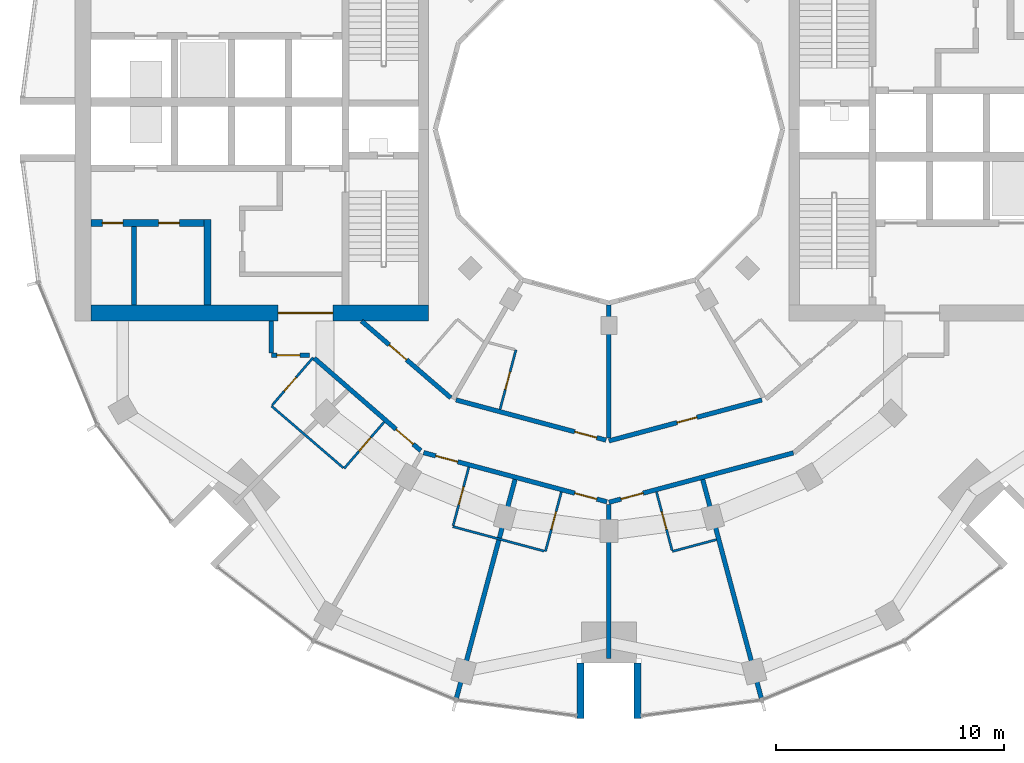
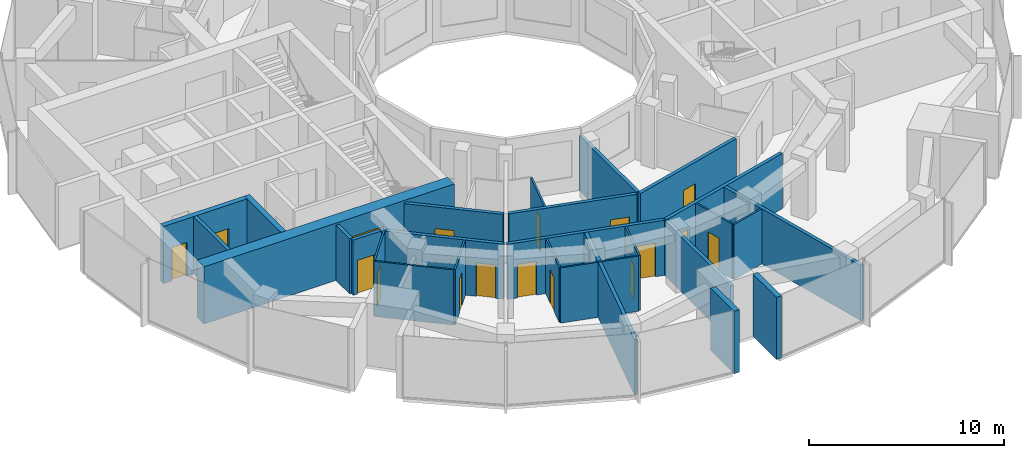
# One storey, part 8 of 15: 27 walls, 17 doors, 17 openings.
"""IFC4 building model written with IfcOpenShell, lengths in metres."""

from ifc_helpers import new_model, si_unit, direction, frame, frame_2d, origin, place, context, subcontext, project, spatial, rectangle, extrude, material, layer, layer_set, type_object, element, fill, save


model = new_model("IFC4")

# Units and contexts
model_context = context("Model", 3, precision=1e-05, world=origin(), true_north=direction((0.0, 1.0)))
body_context = subcontext(model_context, "Body", "Model", "MODEL_VIEW")
ifc_project = project(units=[si_unit("LENGTHUNIT", "METRE"), si_unit("AREAUNIT", "SQUARE_METRE"), si_unit("VOLUMEUNIT", "CUBIC_METRE"), si_unit("PLANEANGLEUNIT", "RADIAN"), si_unit("MASSUNIT", "GRAM", prefix="KILO")], contexts=[model_context])

# Site, building, storey
site_placement = place(None, origin())
site = spatial("IfcSite", under=ifc_project, at=site_placement, CompositionType="ELEMENT")
building_placement = place(site_placement, origin())
building = spatial("IfcBuilding", under=site, at=building_placement, Name="Torre Brocal", CompositionType="ELEMENT")
storey_placement = place(building_placement, frame((0.0, 0.0, 141.89990234375)))
storey = spatial("IfcBuildingStorey", under=building, at=storey_placement, Name="L33", CompositionType="ELEMENT", Elevation=141.89990234375)

# Walls
ifc_material_1 = material(Name="Masonry block", Category="masonry")
ifc_layer_1 = layer(ifc_material_1, 0.199951171875)
ifc_layer_set_1 = layer_set([ifc_layer_1], Name="Masonry block")
wall_type_1 = type_object("IfcWallType", Name="CORE PARTITION 200", PredefinedType="PARTITIONING", material=ifc_layer_set_1)
wall_1_placement = place(storey_placement, frame((59.180908203125, 70.75, 0.0), z_axis=(0.0, 0.0, 1.0), x_axis=(0.0, -1.0, 0.0)))
element("IfcWall", 1, at=wall_1_placement, inside=storey, type_object=wall_type_1, Name="Wall CP200", PredefinedType="PARTITIONING", context=body_context, shape_type="SweptSolid", body=[
    extrude(rectangle(XDim=3.449951171875, YDim=0.199951171875, at=frame_2d((1.72509765625, 0.0))), origin(), (0.0, 0.0, 1.0), 3.580078125),
])
ifc_material_2 = material(Name="Concrete C70", Category="concrete")
ifc_layer_2 = layer(ifc_material_2, 0.300048828125)
ifc_layer_set_2 = layer_set([ifc_layer_2], Name="Concrete C70")
wall_type_2 = type_object("IfcWallType", Name="CORE WALL 300 C70", PredefinedType="SHEAR", material=ifc_layer_set_2)
wall_2_placement = place(storey_placement, frame((62.39990234375, 71.050048828125, 0.0), z_axis=(0.0, 0.0, 1.0), x_axis=(0.0, -1.0, 0.0)))
element("IfcWall", 2, at=wall_2_placement, inside=storey, type_object=wall_type_2, Name="Wall CW300-70", PredefinedType="SHEAR", context=body_context, shape_type="SweptSolid", body=[
    extrude(rectangle(XDim=3.75, YDim=0.300048828125, at=frame_2d((1.875, 0.0))), origin(), (0.0, 0.0, 1.0), 3.580078125),
])

# Wall, openings, doors
wall_3_placement = place(storey_placement, frame((62.25, 70.89990234375, 0.0), z_axis=(0.0, 0.0, 1.0), x_axis=(-1.0, 0.0, 0.0)))
wall_3 = element("IfcWall", 3, at=wall_3_placement, inside=storey, type_object=wall_type_2, Name="Wall CW300-70", PredefinedType="SHEAR", context=body_context, shape_type="SweptSolid", body=[
    extrude(rectangle(XDim=4.949951171875, YDim=0.300048828125, at=frame_2d((2.47509765625, 0.0))), origin(), (0.0, 0.0, 1.0), 3.580078125),
])
opening_1_placement = place(wall_3_placement, frame((1.08447265625, 0.0, 0.0)))
opening_1 = element("IfcOpeningElement", 4, at=opening_1_placement, cuts=wall_3, Name="Opening W-D05", PredefinedType="OPENING", context=body_context, shape_type="SweptSolid", body=[
    extrude(rectangle(XDim=0.89990234375, YDim=2.10009765625, at=frame_2d((0.449951171875, 1.050048828125))), frame((0.0, 0.159912109375, 0.0), z_axis=(0.0, -1.0, 0.0), x_axis=(1.0, 0.0, 0.0)), (0.0, 0.0, 1.0), 0.320068359375),
])
opening_2_placement = place(wall_3_placement, frame((3.5595703125, 0.0, 0.0)))
opening_2 = element("IfcOpeningElement", 5, at=opening_2_placement, cuts=wall_3, Name="Opening W-D06", PredefinedType="OPENING", context=body_context, shape_type="SweptSolid", body=[
    extrude(rectangle(XDim=0.89990234375, YDim=2.10009765625, at=frame_2d((0.449951171875, 1.050048828125))), frame((0.0, 0.159912109375, 0.0), z_axis=(0.0, -1.0, 0.0), x_axis=(1.0, 0.0, 0.0)), (0.0, 0.0, 1.0), 0.320068359375),
])
ifc_material_3 = material(Name="Steel A653", Category="steel")
door_type_1 = type_object("IfcDoorType", Name="ROOM DOOR FD30S 900X2100", OperationType="SINGLE_SWING_LEFT", PredefinedType="DOOR", material=ifc_material_3)
door_1_placement = place(opening_1_placement, origin())
door_1 = element("IfcDoor", 6, at=door_1_placement, inside=storey, type_object=door_type_1, Name="Door W-D05", OperationType="SINGLE_SWING_RIGHT", OverallHeight=2.10009765625, OverallWidth=0.89990234375, PredefinedType="DOOR", context=body_context, shape_type="SweptSolid", body=[
    extrude(rectangle(XDim=0.89990234375, YDim=2.10009765625, at=frame_2d((0.449951171875, 1.050048828125))), frame((0.0, 0.02490234375, 0.0), z_axis=(0.0, -1.0, 0.0), x_axis=(1.0, 0.0, 0.0)), (0.0, 0.0, 1.0), 0.050048828125),
])
fill(opening_1, door_1)
door_2_placement = place(opening_2_placement, origin())
door_2 = element("IfcDoor", 7, at=door_2_placement, inside=storey, type_object=door_type_1, Name="Door W-D06", OperationType="SINGLE_SWING_LEFT", OverallHeight=2.10009765625, OverallWidth=0.89990234375, PredefinedType="DOOR", context=body_context, shape_type="SweptSolid", body=[
    extrude(rectangle(XDim=0.89990234375, YDim=2.10009765625, at=frame_2d((0.449951171875, 1.050048828125))), frame((0.0, 0.02490234375, 0.0), z_axis=(0.0, -1.0, 0.0), x_axis=(1.0, 0.0, 0.0)), (0.0, 0.0, 1.0), 0.050048828125),
])
fill(opening_2, door_2)

# Wall, opening, door
ifc_material_4 = material(Name="Concrete C70", Category="concrete")
ifc_layer_3 = layer(ifc_material_4, 0.699951171875)
ifc_layer_set_3 = layer_set([ifc_layer_3], Name="Concrete C70")
wall_type_3 = type_object("IfcWallType", Name="CORE WALL 700 C70", PredefinedType="SHEAR", material=ifc_layer_set_3)
wall_4_placement = place(storey_placement, frame((72.10009765625, 66.949951171875, 0.0), z_axis=(0.0, 0.0, 1.0), x_axis=(-1.0, 0.0, 0.0)))
wall_4 = element("IfcWall", 8, at=wall_4_placement, inside=storey, type_object=wall_type_3, Name="Wall CW700-70", PredefinedType="SHEAR", context=body_context, shape_type="SweptSolid", body=[
    extrude(rectangle(XDim=14.800048828125, YDim=0.699951171875, at=frame_2d((7.39990234375, 0.0))), origin(), (0.0, 0.0, 1.0), 3.580078125),
])
opening_3_placement = place(wall_4_placement, frame((4.199951171875, 0.0, 0.0)))
opening_3 = element("IfcOpeningElement", 9, at=opening_3_placement, cuts=wall_4, Name="Opening W-D24", PredefinedType="OPENING", context=body_context, shape_type="SweptSolid", body=[
    extrude(rectangle(XDim=2.39990234375, YDim=2.39990234375, at=frame_2d((1.199951171875, 1.199951171875))), frame((0.0, 0.35986328125, 0.0), z_axis=(0.0, -1.0, 0.0), x_axis=(1.0, 0.0, 0.0)), (0.0, 0.0, 1.0), 0.719970703125),
])
ifc_material_5 = material(Name="Steel A653", Category="steel")
door_type_2 = type_object("IfcDoorType", Name="DOUBLE FIRE DOOR FD90 2400X2400", OperationType="DOUBLE_DOOR_SINGLE_SWING", PredefinedType="DOOR", material=ifc_material_5)
door_3_placement = place(opening_3_placement, frame((2.39990234375, 0.0, 0.0), z_axis=(0.0, 0.0, 1.0), x_axis=(-1.0, 0.0, 0.0)))
door_3 = element("IfcDoor", 10, at=door_3_placement, inside=storey, type_object=door_type_2, Name="Door W-D24", OperationType="DOUBLE_DOOR_SINGLE_SWING", OverallHeight=2.39990234375, OverallWidth=2.39990234375, PredefinedType="DOOR", context=body_context, shape_type="SweptSolid", body=[
    extrude(rectangle(XDim=2.39990234375, YDim=2.39990234375, at=frame_2d((1.199951171875, 1.199951171875))), frame((0.0, 0.02490234375, 0.0), z_axis=(0.0, -1.0, 0.0), x_axis=(1.0, 0.0, 0.0)), (0.0, 0.0, 1.0), 0.050048828125),
])
fill(opening_3, door_3)

# Walls
ifc_material_6 = material(Name="Concrete C70", Category="concrete")
ifc_layer_4 = layer(ifc_material_6, 0.300048828125)
ifc_layer_set_4 = layer_set([ifc_layer_4], Name="Concrete C70")
wall_type_4 = type_object("IfcWallType", Name="NOTCH RETURN WALL 300 C70", PredefinedType="NOTDEFINED", material=ifc_layer_set_4)
for number, where, z_axis, x_axis, name in (
    (11, (78.75, 51.60009765625, 0.0), (0.0, 0.0, 1.0), (0.0, -1.0, 0.0), "NOTCH RETURN WALL"),
    (12, (81.25, 51.60009765625, 0.0), (0.0, 0.0, 1.0), (0.0, -1.0, 0.0), "NOTCH RETURN WALL"),
):
    element("IfcWall", number, at=place(storey_placement, frame(where, z_axis=z_axis, x_axis=x_axis)), inside=storey, type_object=wall_type_4, Name=name, PredefinedType="NOTDEFINED", context=body_context, shape_type="SweptSolid", body=[
        extrude(rectangle(XDim=2.415771484375, YDim=0.300048828125, at=frame_2d((1.2080078125, 0.0))), origin(), (0.0, 0.0, 1.0), 3.900146484375),
    ])

# Wall, opening, door
ifc_material_7 = material(Name="Gypsum board", Category="Gypsum")
ifc_layer_5 = layer(ifc_material_7, 0.10009765625)
ifc_layer_set_5 = layer_set([ifc_layer_5], Name="Gypsum board")
wall_type_5 = type_object("IfcWallType", Name="PARTITION 100", PredefinedType="PARTITIONING", material=ifc_layer_set_5)
wall_5_placement = place(storey_placement, frame((65.240478515625, 62.912841796875, 0.0), z_axis=(0.0, 0.0, 1.0), x_axis=(0.652069888227, 0.758158862553, 0.0)))
wall_5 = element("IfcWall", 13, at=wall_5_placement, inside=storey, type_object=wall_type_5, Name="BATHROOM WALL", PredefinedType="PARTITIONING", context=body_context, shape_type="SweptSolid", body=[
    extrude(rectangle(XDim=2.75, YDim=0.10009765625, at=frame_2d((1.375, 0.0))), origin(), (0.0, 0.0, 1.0), 3.4501953125),
])
opening_4_placement = place(wall_5_placement, frame((0.800048828125, 0.0, 0.0)))
opening_4 = element("IfcOpeningElement", 14, at=opening_4_placement, cuts=wall_5, Name="Opening E03-D33", PredefinedType="OPENING", context=body_context, shape_type="SweptSolid", body=[
    extrude(rectangle(XDim=0.800048828125, YDim=2.10009765625, at=frame_2d((0.39990234375, 1.050048828125))), frame((0.0, 0.06005859375, 0.0), z_axis=(0.0, -1.0, 0.0), x_axis=(1.0, 0.0, 0.0)), (0.0, 0.0, 1.0), 0.1201171875),
])
ifc_material_8 = material(Name="Timber", Category="wood")
door_type_3 = type_object("IfcDoorType", Name="BATHROOM DOOR 800X2100", OperationType="SINGLE_SWING_LEFT", PredefinedType="DOOR", material=ifc_material_8)
door_4_placement = place(opening_4_placement, frame((0.800048828125, 0.0, 0.0), z_axis=(0.0, 0.0, 1.0), x_axis=(-1.0, 0.0, 0.0)))
door_4 = element("IfcDoor", 15, at=door_4_placement, inside=storey, type_object=door_type_3, Name="E03-D33", OperationType="SINGLE_SWING_RIGHT", OverallHeight=2.10009765625, OverallWidth=0.800048828125, PredefinedType="DOOR", context=body_context, shape_type="SweptSolid", body=[
    extrude(rectangle(XDim=0.800048828125, YDim=2.10009765625, at=frame_2d((0.39990234375, 1.050048828125))), frame((0.0, 0.02490234375, 0.0), z_axis=(0.0, -1.0, 0.0), x_axis=(1.0, 0.0, 0.0)), (0.0, 0.0, 1.0), 0.050048828125),
])
fill(opening_4, door_4)

# Wall
wall_6_placement = place(storey_placement, frame((65.208251953125, 62.875244140625, 0.0), z_axis=(0.0, 0.0, 1.0), x_axis=(0.757943251005, -0.652320495045, 0.0)))
element("IfcWall", 16, at=wall_6_placement, inside=storey, type_object=wall_type_5, Name="BATHROOM WALL", PredefinedType="PARTITIONING", context=body_context, shape_type="SweptSolid", body=[
    extrude(rectangle(XDim=4.1513671875, YDim=0.10009765625, at=frame_2d((2.07568359375, 0.0))), origin(), (0.0, 0.0, 1.0), 3.4501953125),
])

# Wall, opening, door
wall_7_placement = place(storey_placement, frame((68.39306640625, 60.135009765625, 0.0), z_axis=(0.0, 0.0, 1.0), x_axis=(0.652061182569, 0.758166349944, 0.0)))
wall_7 = element("IfcWall", 17, at=wall_7_placement, inside=storey, type_object=wall_type_5, Name="BATHROOM WALL", PredefinedType="PARTITIONING", context=body_context, shape_type="SweptSolid", body=[
    extrude(rectangle(XDim=2.689697265625, YDim=0.10009765625, at=frame_2d((1.3447265625, 0.0))), origin(), (0.0, 0.0, 1.0), 3.4501953125),
])
opening_5_placement = place(wall_7_placement, frame((1.0, 0.0, 0.0)))
opening_5 = element("IfcOpeningElement", 18, at=opening_5_placement, cuts=wall_7, Name="Opening E03-D31", PredefinedType="OPENING", context=body_context, shape_type="SweptSolid", body=[
    extrude(rectangle(XDim=0.800048828125, YDim=2.10009765625, at=frame_2d((0.39990234375, 1.050048828125))), frame((0.0, 0.06005859375, 0.0), z_axis=(0.0, -1.0, 0.0), x_axis=(1.0, 0.0, 0.0)), (0.0, 0.0, 1.0), 0.1201171875),
])
door_5_placement = place(opening_5_placement, origin())
door_5 = element("IfcDoor", 19, at=door_5_placement, inside=storey, type_object=door_type_3, Name="E03-D31", OperationType="SINGLE_SWING_RIGHT", OverallHeight=2.10009765625, OverallWidth=0.800048828125, PredefinedType="DOOR", context=body_context, shape_type="SweptSolid", body=[
    extrude(rectangle(XDim=0.800048828125, YDim=2.10009765625, at=frame_2d((0.39990234375, 1.050048828125))), frame((0.0, 0.02490234375, 0.0), z_axis=(0.0, -1.0, 0.0), x_axis=(1.0, 0.0, 0.0)), (0.0, 0.0, 1.0), 0.050048828125),
])
fill(opening_5, door_5)

wall_8_placement = place(storey_placement, frame((73.173828125, 57.63623046875, 0.0), z_axis=(0.0, 0.0, 1.0), x_axis=(0.258952498977, 0.96589005755, 0.0)))
wall_8 = element("IfcWall", 20, at=wall_8_placement, inside=storey, type_object=wall_type_5, Name="BATHROOM WALL", PredefinedType="PARTITIONING", context=body_context, shape_type="SweptSolid", body=[
    extrude(rectangle(XDim=2.650146484375, YDim=0.10009765625, at=frame_2d((1.3251953125, 0.0))), origin(), (0.0, 0.0, 1.0), 3.4501953125),
])
opening_6_placement = place(wall_8_placement, frame((0.9501953125, 0.0, 0.0)))
opening_6 = element("IfcOpeningElement", 21, at=opening_6_placement, cuts=wall_8, Name="Opening E03-D29", PredefinedType="OPENING", context=body_context, shape_type="SweptSolid", body=[
    extrude(rectangle(XDim=0.800048828125, YDim=2.10009765625, at=frame_2d((0.39990234375, 1.050048828125))), frame((0.0, 0.06005859375, 0.0), z_axis=(0.0, -1.0, 0.0), x_axis=(1.0, 0.0, 0.0)), (0.0, 0.0, 1.0), 0.1201171875),
])
door_6_placement = place(opening_6_placement, frame((0.800048828125, 0.0, 0.0), z_axis=(0.0, 0.0, 1.0), x_axis=(-1.0, 0.0, 0.0)))
door_6 = element("IfcDoor", 22, at=door_6_placement, inside=storey, type_object=door_type_3, Name="E03-D29", OperationType="SINGLE_SWING_LEFT", OverallHeight=2.10009765625, OverallWidth=0.800048828125, PredefinedType="DOOR", context=body_context, shape_type="SweptSolid", body=[
    extrude(rectangle(XDim=0.800048828125, YDim=2.10009765625, at=frame_2d((0.39990234375, 1.050048828125))), frame((0.0, 0.02490234375, 0.0), z_axis=(0.0, -1.0, 0.0), x_axis=(1.0, 0.0, 0.0)), (0.0, 0.0, 1.0), 0.050048828125),
])
fill(opening_6, door_6)

# Wall
wall_9_placement = place(storey_placement, frame((73.160888671875, 57.587890625, 0.0), z_axis=(0.0, 0.0, 1.0), x_axis=(0.965858994467, -0.259068336173, 0.0)))
element("IfcWall", 23, at=wall_9_placement, inside=storey, type_object=wall_type_5, Name="BATHROOM WALL", PredefinedType="PARTITIONING", context=body_context, shape_type="SweptSolid", body=[
    extrude(rectangle(XDim=4.150146484375, YDim=0.10009765625, at=frame_2d((2.0751953125, 0.0))), origin(), (0.0, 0.0, 1.0), 3.4501953125),
])

# Wall, opening, door
wall_10_placement = place(storey_placement, frame((75.226806640625, 62.728759765625, 0.0), z_axis=(0.0, 0.0, 1.0), x_axis=(0.258945475746, 0.965891940432, 0.0)))
wall_10 = element("IfcWall", 24, at=wall_10_placement, inside=storey, type_object=wall_type_5, Name="BATHROOM WALL", PredefinedType="PARTITIONING", context=body_context, shape_type="SweptSolid", body=[
    extrude(rectangle(XDim=2.7001953125, YDim=0.10009765625, at=frame_2d((1.35009765625, 0.0))), origin(), (0.0, 0.0, 1.0), 3.4501953125),
])
opening_7_placement = place(wall_10_placement, frame((0.900146484375, 0.0, 0.0)))
opening_7 = element("IfcOpeningElement", 25, at=opening_7_placement, cuts=wall_10, Name="Opening E03-D38", PredefinedType="OPENING", context=body_context, shape_type="SweptSolid", body=[
    extrude(rectangle(XDim=0.800048828125, YDim=2.10009765625, at=frame_2d((0.39990234375, 1.050048828125))), frame((0.0, 0.06005859375, 0.0), z_axis=(0.0, -1.0, 0.0), x_axis=(1.0, 0.0, 0.0)), (0.0, 0.0, 1.0), 0.1201171875),
])
door_7_placement = place(opening_7_placement, origin())
door_7 = element("IfcDoor", 26, at=door_7_placement, inside=storey, type_object=door_type_3, Name="E03-D38", OperationType="SINGLE_SWING_LEFT", OverallHeight=2.10009765625, OverallWidth=0.800048828125, PredefinedType="DOOR", context=body_context, shape_type="SweptSolid", body=[
    extrude(rectangle(XDim=0.800048828125, YDim=2.10009765625, at=frame_2d((0.39990234375, 1.050048828125))), frame((0.0, 0.02490234375, 0.0), z_axis=(0.0, -1.0, 0.0), x_axis=(1.0, 0.0, 0.0)), (0.0, 0.0, 1.0), 0.050048828125),
])
fill(opening_7, door_7)

wall_11_placement = place(storey_placement, frame((77.218017578125, 56.5009765625, 0.0), z_axis=(0.0, 0.0, 1.0), x_axis=(0.258591408257, 0.965986792651, 0.0)))
wall_11 = element("IfcWall", 27, at=wall_11_placement, inside=storey, type_object=wall_type_5, Name="BATHROOM WALL", PredefinedType="PARTITIONING", context=body_context, shape_type="SweptSolid", body=[
    extrude(rectangle(XDim=2.69921875, YDim=0.10009765625, at=frame_2d((1.349609375, 0.0))), origin(), (0.0, 0.0, 1.0), 3.4501953125),
])
opening_8_placement = place(wall_11_placement, frame((0.99951171875, 0.0, 0.0)))
opening_8 = element("IfcOpeningElement", 28, at=opening_8_placement, cuts=wall_11, Name="Opening E03-D27", PredefinedType="OPENING", context=body_context, shape_type="SweptSolid", body=[
    extrude(rectangle(XDim=0.800048828125, YDim=2.10009765625, at=frame_2d((0.39990234375, 1.050048828125))), frame((0.0, 0.06005859375, 0.0), z_axis=(0.0, -1.0, 0.0), x_axis=(1.0, 0.0, 0.0)), (0.0, 0.0, 1.0), 0.1201171875),
])
door_8_placement = place(opening_8_placement, origin())
door_8 = element("IfcDoor", 29, at=door_8_placement, inside=storey, type_object=door_type_3, Name="E03-D27", OperationType="SINGLE_SWING_RIGHT", OverallHeight=2.10009765625, OverallWidth=0.800048828125, PredefinedType="DOOR", context=body_context, shape_type="SweptSolid", body=[
    extrude(rectangle(XDim=0.800048828125, YDim=2.10009765625, at=frame_2d((0.39990234375, 1.050048828125))), frame((0.0, 0.02490234375, 0.0), z_axis=(0.0, -1.0, 0.0), x_axis=(1.0, 0.0, 0.0)), (0.0, 0.0, 1.0), 0.050048828125),
])
fill(opening_8, door_8)

wall_12_placement = place(storey_placement, frame((82.083984375, 59.1083984375, 0.0), z_axis=(0.0, 0.0, 1.0), x_axis=(0.258591746437, -0.965986702121, 0.0)))
wall_12 = element("IfcWall", 30, at=wall_12_placement, inside=storey, type_object=wall_type_5, Name="BATHROOM WALL", PredefinedType="PARTITIONING", context=body_context, shape_type="SweptSolid", body=[
    extrude(rectangle(XDim=2.649169921875, YDim=0.10009765625, at=frame_2d((1.32470703125, 0.0))), origin(), (0.0, 0.0, 1.0), 3.4501953125),
])
opening_9_placement = place(wall_12_placement, frame((0.899658203125, 0.0, 0.0)))
opening_9 = element("IfcOpeningElement", 31, at=opening_9_placement, cuts=wall_12, Name="Opening E03-D25", PredefinedType="OPENING", context=body_context, shape_type="SweptSolid", body=[
    extrude(rectangle(XDim=0.800048828125, YDim=2.10009765625, at=frame_2d((0.39990234375, 1.050048828125))), frame((0.0, 0.06005859375, 0.0), z_axis=(0.0, -1.0, 0.0), x_axis=(1.0, 0.0, 0.0)), (0.0, 0.0, 1.0), 0.1201171875),
])
door_9_placement = place(opening_9_placement, origin())
door_9 = element("IfcDoor", 32, at=door_9_placement, inside=storey, type_object=door_type_3, Name="E03-D25", OperationType="SINGLE_SWING_LEFT", OverallHeight=2.10009765625, OverallWidth=0.800048828125, PredefinedType="DOOR", context=body_context, shape_type="SweptSolid", body=[
    extrude(rectangle(XDim=0.800048828125, YDim=2.10009765625, at=frame_2d((0.39990234375, 1.050048828125))), frame((0.0, 0.02490234375, 0.0), z_axis=(0.0, -1.0, 0.0), x_axis=(1.0, 0.0, 0.0)), (0.0, 0.0, 1.0), 0.050048828125),
])
fill(opening_9, door_9)

# Walls
wall_13_placement = place(storey_placement, frame((82.781982421875, 56.5009765625, 0.0), z_axis=(0.0, 0.0, 1.0), x_axis=(0.966003594778, 0.258528634539, 0.0)))
element("IfcWall", 33, at=wall_13_placement, inside=storey, type_object=wall_type_5, Name="BATHROOM WALL", PredefinedType="PARTITIONING", context=body_context, shape_type="SweptSolid", body=[
    extrude(rectangle(XDim=2.000244140625, YDim=0.10009765625, at=frame_2d((1.0, 0.0))), origin(), (0.0, 0.0, 1.0), 3.4501953125),
])
ifc_material_9 = material(Name="Gypsum board", Category="Gypsum")
ifc_layer_6 = layer(ifc_material_9, 0.199951171875)
ifc_layer_set_6 = layer_set([ifc_layer_6], Name="Gypsum board")
wall_type_6 = type_object("IfcWallType", Name="PARTITION 200 EI60", PredefinedType="PARTITIONING", material=ifc_layer_set_6)
wall_14_placement = place(storey_placement, frame((65.199951171875, 65.199951171875, 0.0), z_axis=(0.0, 0.0, 1.0), x_axis=(0.0, 1.0, 0.0)))
element("IfcWall", 34, at=wall_14_placement, inside=storey, type_object=wall_type_6, Name="GUESTROOM CORRIDOR WALL", PredefinedType="PARTITIONING", context=body_context, shape_type="SweptSolid", body=[
    extrude(rectangle(XDim=1.399169921875, YDim=0.199951171875, at=frame_2d((0.69970703125, 0.0))), origin(), (0.0, 0.0, 1.0), 3.4501953125),
])

# Wall, opening, door
wall_15_placement = place(storey_placement, frame((65.199951171875, 65.10009765625, 0.0), z_axis=(0.0, 0.0, 1.0), x_axis=(1.0, 0.0, 0.0)))
wall_15 = element("IfcWall", 35, at=wall_15_placement, inside=storey, type_object=wall_type_6, Name="GUESTROOM CORRIDOR WALL", PredefinedType="PARTITIONING", context=body_context, shape_type="SweptSolid", body=[
    extrude(rectangle(XDim=1.6650390625, YDim=0.199951171875, at=frame_2d((0.83251953125, 0.0))), origin(), (0.0, 0.0, 1.0), 3.4501953125),
])
opening_10_placement = place(wall_15_placement, frame((0.25, 0.0, 0.0)))
opening_10 = element("IfcOpeningElement", 36, at=opening_10_placement, cuts=wall_15, Name="Opening E03-D32", PredefinedType="OPENING", context=body_context, shape_type="SweptSolid", body=[
    extrude(rectangle(XDim=1.0, YDim=2.10009765625, at=frame_2d((0.5, 1.050048828125))), frame((0.0, 0.10986328125, 0.0), z_axis=(0.0, -1.0, 0.0), x_axis=(1.0, 0.0, 0.0)), (0.0, 0.0, 1.0), 0.219970703125),
])
ifc_material_10 = material(Name="Timber", Category="wood")
door_type_4 = type_object("IfcDoorType", Name="FLAT ENTRY DOOR FD30S 1000X2100", OperationType="SINGLE_SWING_RIGHT", PredefinedType="DOOR", material=ifc_material_10)
door_10_placement = place(opening_10_placement, frame((1.0, 0.0, 0.0), z_axis=(0.0, 0.0, 1.0), x_axis=(-1.0, 0.0, 0.0)))
door_10 = element("IfcDoor", 37, at=door_10_placement, inside=storey, type_object=door_type_4, Name="E03-D32", OperationType="SINGLE_SWING_RIGHT", OverallHeight=2.10009765625, OverallWidth=1.0, PredefinedType="DOOR", context=body_context, shape_type="SweptSolid", body=[
    extrude(rectangle(XDim=1.0, YDim=2.10009765625, at=frame_2d((0.5, 1.050048828125))), frame((0.0, 0.02490234375, 0.0), z_axis=(0.0, -1.0, 0.0), x_axis=(1.0, 0.0, 0.0)), (0.0, 0.0, 1.0), 0.050048828125),
])
fill(opening_10, door_10)

wall_16_placement = place(storey_placement, frame((67.08154296875, 64.9716796875, 0.0), z_axis=(0.0, 0.0, 1.0), x_axis=(0.755031061605, -0.65568902386, 0.0)))
wall_16 = element("IfcWall", 38, at=wall_16_placement, inside=storey, type_object=wall_type_6, Name="GUESTROOM CORRIDOR WALL", PredefinedType="PARTITIONING", context=body_context, shape_type="SweptSolid", body=[
    extrude(rectangle(XDim=6.185791015625, YDim=0.199951171875, at=frame_2d((3.0927734375, 0.0))), origin(), (0.0, 0.0, 1.0), 3.4501953125),
])
opening_11_placement = place(wall_16_placement, frame((4.755126953125, 0.0, 0.0)))
opening_11 = element("IfcOpeningElement", 39, at=opening_11_placement, cuts=wall_16, Name="Opening E03-D30", PredefinedType="OPENING", context=body_context, shape_type="SweptSolid", body=[
    extrude(rectangle(XDim=1.0, YDim=2.10009765625, at=frame_2d((0.5, 1.050048828125))), frame((0.0, 0.10986328125, 0.0), z_axis=(0.0, -1.0, 0.0), x_axis=(1.0, 0.0, 0.0)), (0.0, 0.0, 1.0), 0.219970703125),
])
door_11_placement = place(opening_11_placement, frame((1.0, 0.0, 0.0), z_axis=(0.0, 0.0, 1.0), x_axis=(-1.0, 0.0, 0.0)))
door_11 = element("IfcDoor", 40, at=door_11_placement, inside=storey, type_object=door_type_4, Name="E03-D30", OperationType="SINGLE_SWING_LEFT", OverallHeight=2.10009765625, OverallWidth=1.0, PredefinedType="DOOR", context=body_context, shape_type="SweptSolid", body=[
    extrude(rectangle(XDim=1.0, YDim=2.10009765625, at=frame_2d((0.5, 1.050048828125))), frame((0.0, 0.02490234375, 0.0), z_axis=(0.0, -1.0, 0.0), x_axis=(1.0, 0.0, 0.0)), (0.0, 0.0, 1.0), 0.050048828125),
])
fill(opening_11, door_11)

wall_17_placement = place(storey_placement, frame((69.158203125, 66.60009765625, 0.0), z_axis=(0.0, 0.0, 1.0), x_axis=(0.757976058094, -0.652282373943, 0.0)))
wall_17 = element("IfcWall", 41, at=wall_17_placement, inside=storey, type_object=wall_type_6, Name="GUESTROOM CORRIDOR WALL", PredefinedType="PARTITIONING", context=body_context, shape_type="SweptSolid", body=[
    extrude(rectangle(XDim=5.160400390625, YDim=0.199951171875, at=frame_2d((2.580078125, 0.0))), origin(), (0.0, 0.0, 1.0), 3.4501953125),
])
opening_12_placement = place(wall_17_placement, frame((1.60009765625, 0.0, 0.0)))
opening_12 = element("IfcOpeningElement", 42, at=opening_12_placement, cuts=wall_17, Name="Opening E03-D39", PredefinedType="OPENING", context=body_context, shape_type="SweptSolid", body=[
    extrude(rectangle(XDim=1.0, YDim=2.10009765625, at=frame_2d((0.5, 1.050048828125))), frame((0.0, 0.10986328125, 0.0), z_axis=(0.0, -1.0, 0.0), x_axis=(1.0, 0.0, 0.0)), (0.0, 0.0, 1.0), 0.219970703125),
])
door_12_placement = place(opening_12_placement, origin())
door_12 = element("IfcDoor", 43, at=door_12_placement, inside=storey, type_object=door_type_4, Name="E03-D39", OperationType="SINGLE_SWING_RIGHT", OverallHeight=2.10009765625, OverallWidth=1.0, PredefinedType="DOOR", context=body_context, shape_type="SweptSolid", body=[
    extrude(rectangle(XDim=1.0, YDim=2.10009765625, at=frame_2d((0.5, 1.050048828125))), frame((0.0, 0.02490234375, 0.0), z_axis=(0.0, -1.0, 0.0), x_axis=(1.0, 0.0, 0.0)), (0.0, 0.0, 1.0), 0.050048828125),
])
fill(opening_12, door_12)

# Wall, openings, doors
wall_18_placement = place(storey_placement, frame((71.877197265625, 60.83154296875, 0.0), z_axis=(0.0, 0.0, 1.0), x_axis=(0.965852509869, -0.259092510851, 0.0)))
wall_18 = element("IfcWall", 44, at=wall_18_placement, inside=storey, type_object=wall_type_6, Name="GUESTROOM CORRIDOR WALL", PredefinedType="PARTITIONING", context=body_context, shape_type="SweptSolid", body=[
    extrude(rectangle(XDim=8.319580078125, YDim=0.199951171875, at=frame_2d((4.15966796875, 0.0))), origin(), (0.0, 0.0, 1.0), 3.4501953125),
])
opening_13_placement = place(wall_18_placement, frame((6.859619140625, 0.0, 0.0)))
opening_13 = element("IfcOpeningElement", 45, at=opening_13_placement, cuts=wall_18, Name="Opening E03-D26", PredefinedType="OPENING", context=body_context, shape_type="SweptSolid", body=[
    extrude(rectangle(XDim=1.0, YDim=2.10009765625, at=frame_2d((0.5, 1.050048828125))), frame((0.0, 0.10986328125, 0.0), z_axis=(0.0, -1.0, 0.0), x_axis=(1.0, 0.0, 0.0)), (0.0, 0.0, 1.0), 0.219970703125),
])
opening_14_placement = place(wall_18_placement, frame((0.550048828125, 0.0, 0.0)))
opening_14 = element("IfcOpeningElement", 46, at=opening_14_placement, cuts=wall_18, Name="Opening E03-D28", PredefinedType="OPENING", context=body_context, shape_type="SweptSolid", body=[
    extrude(rectangle(XDim=1.0, YDim=2.10009765625, at=frame_2d((0.5, 1.050048828125))), frame((0.0, 0.10986328125, 0.0), z_axis=(0.0, -1.0, 0.0), x_axis=(1.0, 0.0, 0.0)), (0.0, 0.0, 1.0), 0.219970703125),
])
door_13_placement = place(opening_13_placement, frame((1.0, 0.0, 0.0), z_axis=(0.0, 0.0, 1.0), x_axis=(-1.0, 0.0, 0.0)))
door_13 = element("IfcDoor", 47, at=door_13_placement, inside=storey, type_object=door_type_4, Name="E03-D26", OperationType="SINGLE_SWING_RIGHT", OverallHeight=2.10009765625, OverallWidth=1.0, PredefinedType="DOOR", context=body_context, shape_type="SweptSolid", body=[
    extrude(rectangle(XDim=1.0, YDim=2.10009765625, at=frame_2d((0.5, 1.050048828125))), frame((0.0, 0.02490234375, 0.0), z_axis=(0.0, -1.0, 0.0), x_axis=(1.0, 0.0, 0.0)), (0.0, 0.0, 1.0), 0.050048828125),
])
fill(opening_13, door_13)
door_14_placement = place(opening_14_placement, frame((1.0, 0.0, 0.0), z_axis=(0.0, 0.0, 1.0), x_axis=(-1.0, 0.0, 0.0)))
door_14 = element("IfcDoor", 48, at=door_14_placement, inside=storey, type_object=door_type_4, Name="E03-D28", OperationType="SINGLE_SWING_LEFT", OverallHeight=2.10009765625, OverallWidth=1.0, PredefinedType="DOOR", context=body_context, shape_type="SweptSolid", body=[
    extrude(rectangle(XDim=1.0, YDim=2.10009765625, at=frame_2d((0.5, 1.050048828125))), frame((0.0, 0.02490234375, 0.0), z_axis=(0.0, -1.0, 0.0), x_axis=(1.0, 0.0, 0.0)), (0.0, 0.0, 1.0), 0.050048828125),
])
fill(opening_14, door_14)

# Wall, opening, door
wall_19_placement = place(storey_placement, frame((73.296875, 63.142578125, 0.0), z_axis=(0.0, 0.0, 1.0), x_axis=(0.965859030528, -0.25906820173, 0.0)))
wall_19 = element("IfcWall", 49, at=wall_19_placement, inside=storey, type_object=wall_type_6, Name="GUESTROOM CORRIDOR WALL", PredefinedType="PARTITIONING", context=body_context, shape_type="SweptSolid", body=[
    extrude(rectangle(XDim=6.8095703125, YDim=0.199951171875, at=frame_2d((3.40478515625, 0.0))), origin(), (0.0, 0.0, 1.0), 3.4501953125),
])
opening_15_placement = place(wall_19_placement, frame((5.3896484375, 0.0, 0.0)))
opening_15 = element("IfcOpeningElement", 50, at=opening_15_placement, cuts=wall_19, Name="Opening E03-D37", PredefinedType="OPENING", context=body_context, shape_type="SweptSolid", body=[
    extrude(rectangle(XDim=1.0, YDim=2.10009765625, at=frame_2d((0.5, 1.050048828125))), frame((0.0, 0.10986328125, 0.0), z_axis=(0.0, -1.0, 0.0), x_axis=(1.0, 0.0, 0.0)), (0.0, 0.0, 1.0), 0.219970703125),
])
door_15_placement = place(opening_15_placement, origin())
door_15 = element("IfcDoor", 51, at=door_15_placement, inside=storey, type_object=door_type_4, Name="E03-D37", OperationType="SINGLE_SWING_RIGHT", OverallHeight=2.10009765625, OverallWidth=1.0, PredefinedType="DOOR", context=body_context, shape_type="SweptSolid", body=[
    extrude(rectangle(XDim=1.0, YDim=2.10009765625, at=frame_2d((0.5, 1.050048828125))), frame((0.0, 0.02490234375, 0.0), z_axis=(0.0, -1.0, 0.0), x_axis=(1.0, 0.0, 0.0)), (0.0, 0.0, 1.0), 0.050048828125),
])
fill(opening_15, door_15)

# Walls
wall_20_placement = place(storey_placement, frame((73.32080078125, 50.081298828125, 0.0), z_axis=(0.0, 0.0, 1.0), x_axis=(0.258889198551, 0.965907025999, 0.0)))
element("IfcWall", 52, at=wall_20_placement, inside=storey, type_object=wall_type_6, Name="BATHROOM WALL", PredefinedType="PARTITIONING", context=body_context, shape_type="SweptSolid", body=[
    extrude(rectangle(XDim=9.909423828125, YDim=0.199951171875, at=frame_2d((4.95458984375, 0.0))), origin(), (0.0, 0.0, 1.0), 3.4501953125),
])
wall_21_placement = place(storey_placement, frame((80.0, 51.800048828125, 0.0), z_axis=(0.0, 0.0, 1.0), x_axis=(0.0, 1.0, 0.0)))
element("IfcWall", 53, at=wall_21_placement, inside=storey, type_object=wall_type_6, Name="PARTY PARTITION", PredefinedType="PARTITIONING", context=body_context, shape_type="SweptSolid", body=[
    extrude(rectangle(XDim=6.763916015625, YDim=0.199951171875, at=frame_2d((3.3818359375, 0.0))), origin(), (0.0, 0.0, 1.0), 3.4501953125),
])

# Wall, opening, door
wall_22_placement = place(storey_placement, frame((80.0, 58.654296875, 0.0), z_axis=(0.0, 0.0, 1.0), x_axis=(0.965979808777, 0.25861749561, 0.0)))
wall_22 = element("IfcWall", 54, at=wall_22_placement, inside=storey, type_object=wall_type_6, Name="GUESTROOM CORRIDOR WALL", PredefinedType="PARTITIONING", context=body_context, shape_type="SweptSolid", body=[
    extrude(rectangle(XDim=8.36962890625, YDim=0.199951171875, at=frame_2d((4.184814453125, 0.0))), origin(), (0.0, 0.0, 1.0), 3.4501953125),
])
opening_16_placement = place(wall_22_placement, frame((0.550048828125, 0.0, 0.0)))
opening_16 = element("IfcOpeningElement", 55, at=opening_16_placement, cuts=wall_22, Name="Opening E03-D24", PredefinedType="OPENING", context=body_context, shape_type="SweptSolid", body=[
    extrude(rectangle(XDim=1.0, YDim=2.10009765625, at=frame_2d((0.5, 1.050048828125))), frame((0.0, 0.10986328125, 0.0), z_axis=(0.0, -1.0, 0.0), x_axis=(1.0, 0.0, 0.0)), (0.0, 0.0, 1.0), 0.219970703125),
])
door_16_placement = place(opening_16_placement, frame((1.0, 0.0, 0.0), z_axis=(0.0, 0.0, 1.0), x_axis=(-1.0, 0.0, 0.0)))
door_16 = element("IfcDoor", 56, at=door_16_placement, inside=storey, type_object=door_type_4, Name="E03-D24", OperationType="SINGLE_SWING_LEFT", OverallHeight=2.10009765625, OverallWidth=1.0, PredefinedType="DOOR", context=body_context, shape_type="SweptSolid", body=[
    extrude(rectangle(XDim=1.0, YDim=2.10009765625, at=frame_2d((0.5, 1.050048828125))), frame((0.0, 0.02490234375, 0.0), z_axis=(0.0, -1.0, 0.0), x_axis=(1.0, 0.0, 0.0)), (0.0, 0.0, 1.0), 0.050048828125),
])
fill(opening_16, door_16)

# Wall
wall_23_placement = place(storey_placement, frame((80.0, 61.47607421875, 0.0), z_axis=(0.0, 0.0, 1.0), x_axis=(0.0, 1.0, 0.0)))
element("IfcWall", 57, at=wall_23_placement, inside=storey, type_object=wall_type_6, Name="SERVICE ROOM WALL", PredefinedType="PARTITIONING", context=body_context, shape_type="SweptSolid", body=[
    extrude(rectangle(XDim=5.824951171875, YDim=0.199951171875, at=frame_2d((2.91259765625, 0.0))), origin(), (0.0, 0.0, 1.0), 3.4501953125),
])

# Wall, opening, door
wall_24_placement = place(storey_placement, frame((80.0, 61.345947265625, 0.0), z_axis=(0.0, 0.0, 1.0), x_axis=(0.965915385935, 0.25885800589, 0.0)))
wall_24 = element("IfcWall", 58, at=wall_24_placement, inside=storey, type_object=wall_type_6, Name="GUESTROOM CORRIDOR WALL", PredefinedType="PARTITIONING", context=body_context, shape_type="SweptSolid", body=[
    extrude(rectangle(XDim=6.939697265625, YDim=0.199951171875, at=frame_2d((3.4697265625, 0.0))), origin(), (0.0, 0.0, 1.0), 3.4501953125),
])
opening_17_placement = place(wall_24_placement, frame((3.09375, 0.0, 0.0)))
opening_17 = element("IfcOpeningElement", 59, at=opening_17_placement, cuts=wall_24, Name="Opening E03-D36", PredefinedType="OPENING", context=body_context, shape_type="SweptSolid", body=[
    extrude(rectangle(XDim=0.89990234375, YDim=2.10009765625, at=frame_2d((0.449951171875, 1.050048828125))), frame((0.0, 0.10986328125, 0.0), z_axis=(0.0, -1.0, 0.0), x_axis=(1.0, 0.0, 0.0)), (0.0, 0.0, 1.0), 0.219970703125),
])
ifc_material_11 = material(Name="Timber", Category="wood")
door_type_5 = type_object("IfcDoorType", Name="ROOM DOOR 900X2100", OperationType="SINGLE_SWING_LEFT", PredefinedType="DOOR", material=ifc_material_11)
door_17_placement = place(opening_17_placement, origin())
door_17 = element("IfcDoor", 60, at=door_17_placement, inside=storey, type_object=door_type_5, Name="E03-D36", OperationType="SINGLE_SWING_RIGHT", OverallHeight=2.10009765625, OverallWidth=0.89990234375, PredefinedType="DOOR", context=body_context, shape_type="SweptSolid", body=[
    extrude(rectangle(XDim=0.89990234375, YDim=2.10009765625, at=frame_2d((0.449951171875, 1.050048828125))), frame((0.0, 0.02490234375, 0.0), z_axis=(0.0, -1.0, 0.0), x_axis=(1.0, 0.0, 0.0)), (0.0, 0.0, 1.0), 0.050048828125),
])
fill(opening_17, door_17)

# Wall
wall_25_placement = place(storey_placement, frame((84.1123046875, 59.651611328125, 0.0), z_axis=(0.0, 0.0, 1.0), x_axis=(0.25878658041, -0.965934524593, 0.0)))
element("IfcWall", 61, at=wall_25_placement, inside=storey, type_object=wall_type_6, Name="BATHROOM WALL", PredefinedType="PARTITIONING", context=body_context, shape_type="SweptSolid", body=[
    extrude(rectangle(XDim=9.90869140625, YDim=0.199951171875, at=frame_2d((4.954345703125, 0.0))), origin(), (0.0, 0.0, 1.0), 3.4501953125),
])

save(model, "model.ifc")
